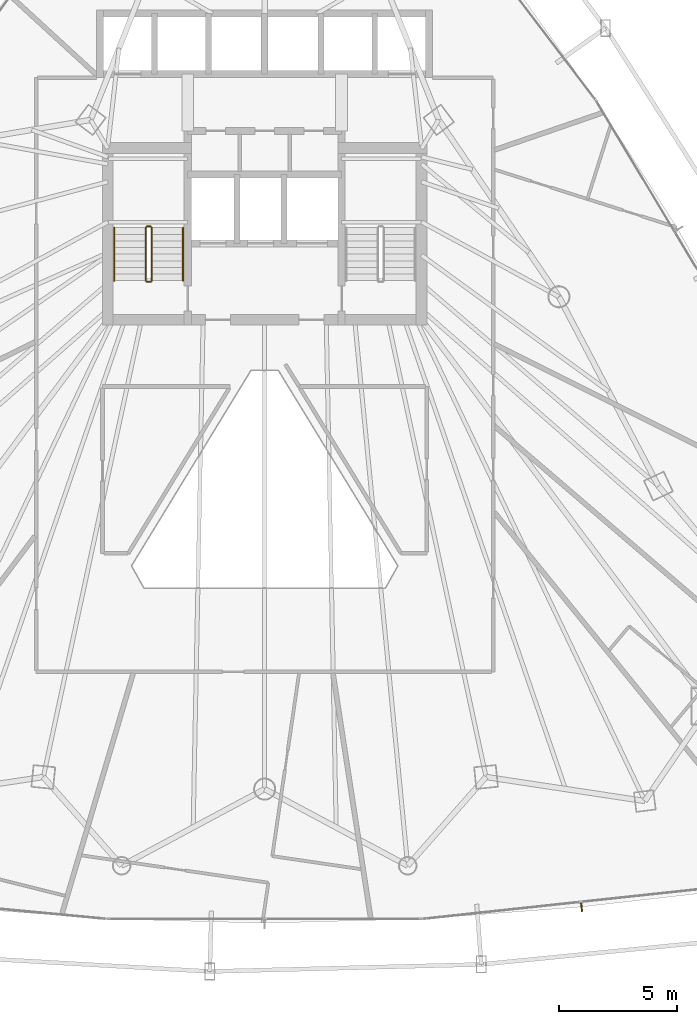
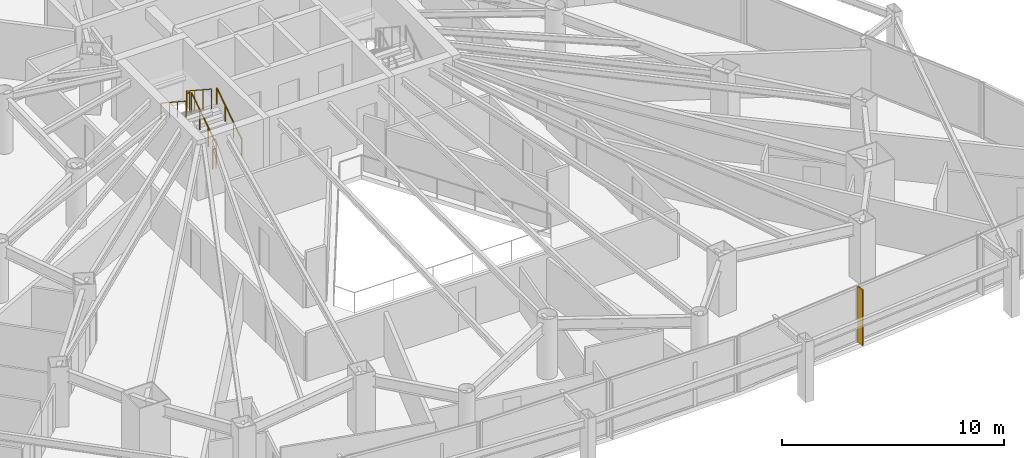
# One storey, part 33 of 35: 6 railings, 1 shading device.
"""IFC4 building model written with IfcOpenShell, lengths in metres."""

from ifc_helpers import new_model, si_unit, direction, frame, origin, origin_2d, place, context, subcontext, project, spatial, rectangle, circle, extrude, material, layer, layer_set, type_object, element, save


model = new_model("IFC4")

# Units and contexts
model_context = context("Model", 3, precision=1e-05, world=origin(), true_north=direction((0.0, 1.0)))
body_context = subcontext(model_context, "Body", "Model", "MODEL_VIEW")
ifc_project = project(units=[si_unit("LENGTHUNIT", "METRE"), si_unit("AREAUNIT", "SQUARE_METRE"), si_unit("VOLUMEUNIT", "CUBIC_METRE"), si_unit("PLANEANGLEUNIT", "RADIAN"), si_unit("MASSUNIT", "GRAM", prefix="KILO")], contexts=[model_context])

# Site, building, storey
site_placement = place(None, origin())
site = spatial("IfcSite", under=ifc_project, at=site_placement, CompositionType="ELEMENT")
building_placement = place(site_placement, origin())
building = spatial("IfcBuilding", under=site, at=building_placement, Name="Orvanel Arch Residences", CompositionType="ELEMENT")
storey_placement = place(building_placement, frame((0.0, 0.0, 36.800048828125)))
storey = spatial("IfcBuildingStorey", under=building, at=storey_placement, Name="L09", CompositionType="ELEMENT", Elevation=36.800048828125)

# Shading device
ifc_material_1 = material(Name="Bronze-anodised aluminium AA6063-T6", Category="aluminium")
ifc_layer = layer(ifc_material_1, 0.06005859375)
ifc_layer_set = layer_set([ifc_layer], Name="Bronze-anodised aluminium AA6063-T6")
shading_device_type = type_object("IfcShadingDeviceType", Name="FIN-BRZ-380", PredefinedType="USERDEFINED", material=ifc_layer_set)
shading_device_placement = place(storey_placement, frame((46.385986328125, 1.85888671875, 0.0), z_axis=(0.0, 0.0, 1.0), x_axis=(0.106264071336, -0.994337944133, 0.0)))
element("IfcShadingDevice", 1, at=shading_device_placement, inside=storey, type_object=shading_device_type, Name="L09 Anodised Bronze Mullion FIN 01", ObjectType="FIN", PredefinedType="USERDEFINED", context=body_context, shape_type="SweptSolid", body=[
    extrude(rectangle(XDim=0.3798828125, YDim=0.06005859375, at=origin_2d()), origin(), (0.0, 0.0, 1.0), 3.06005859375),
])

# Railings
ifc_material_2 = material(Name="Structural steel AS/NZS 1163 C350L0 (Grade 350)", Category="steel")
railing_type_1 = type_object("IfcRailingType", Name="RL-STAIR-GUARD", PredefinedType="GUARDRAIL", material=ifc_material_2)
railing_1_placement = place(storey_placement, frame((28.22998046875, 28.320068359375, 0.183349609375)))
element("IfcRailing", 2, at=railing_1_placement, inside=storey, type_object=railing_type_1, Name="L09 ST-1 stair guard 1", PredefinedType="GUARDRAIL", context=body_context, shape_type="SweptSolid", body=[
    extrude(circle(Radius=0.02392578125, at=origin_2d()), frame((0.0, 0.001220703125, 1.076904296875), z_axis=(0.0, 0.836636935527, 0.547757827979), x_axis=(-1.0, 0.0, 0.0)), (0.0, 0.0, 1.0), 2.67431640625),
    extrude(circle(Radius=0.02099609375, at=origin_2d()), origin(), (0.0, 0.0, 1.0), 1.050048828125),
    extrude(circle(Radius=0.02099609375, at=origin_2d()), frame((0.0, 0.74658203125, 0.48876953125)), (0.0, 0.0, 1.0), 1.050048828125),
    extrude(circle(Radius=0.02099609375, at=origin_2d()), frame((0.0, 1.493408203125, 0.977783203125)), (0.0, 0.0, 1.0), 1.050048828125),
    extrude(circle(Radius=0.02099609375, at=origin_2d()), frame((0.0, 2.239990234375, 1.466552734375)), (0.0, 0.0, 1.0), 1.050048828125),
])
railing_2_placement = place(storey_placement, frame((28.179931640625, 30.610107421875, 1.64990234375)))
element("IfcRailing", 3, at=railing_2_placement, inside=storey, type_object=railing_type_1, Name="L09 ST-1 stair guard 2", PredefinedType="GUARDRAIL", context=body_context, shape_type="SweptSolid", body=[
    extrude(circle(Radius=0.02392578125, at=origin_2d()), frame((-0.00146484375, 0.0, 1.076171875), z_axis=(-1.0, 0.0, 0.0), x_axis=(0.0, -1.0, 0.0)), (0.0, 0.0, 1.0), 0.156982421875),
    extrude(circle(Radius=0.02099609375, at=origin_2d()), origin(), (0.0, 0.0, 1.0), 1.050048828125),
    extrude(circle(Radius=0.02099609375, at=origin_2d()), frame((-0.159912109375, 0.0, 0.0)), (0.0, 0.0, 1.0), 1.050048828125),
])
railing_3_placement = place(storey_placement, frame((27.969970703125, 30.56005859375, 1.833251953125)))
element("IfcRailing", 4, at=railing_3_placement, inside=storey, type_object=railing_type_1, Name="L09 ST-1 stair guard 3", PredefinedType="GUARDRAIL", context=body_context, shape_type="SweptSolid", body=[
    extrude(circle(Radius=0.02392578125, at=origin_2d()), frame((0.0, -0.001220703125, 1.076904296875), z_axis=(0.0, -0.836595146698, 0.547821650285), x_axis=(1.0, 0.0, 0.0)), (0.0, 0.0, 1.0), 2.674560546875),
    extrude(circle(Radius=0.02099609375, at=origin_2d()), origin(), (0.0, 0.0, 1.0), 1.050048828125),
    extrude(circle(Radius=0.02099609375, at=origin_2d()), frame((0.0, -0.74658203125, 0.489013671875)), (0.0, 0.0, 1.0), 1.050048828125),
    extrude(circle(Radius=0.02099609375, at=origin_2d()), frame((0.0, -1.493408203125, 0.977783203125)), (0.0, 0.0, 1.0), 1.050048828125),
    extrude(circle(Radius=0.02099609375, at=origin_2d()), frame((0.0, -2.239990234375, 1.466796875)), (0.0, 0.0, 1.0), 1.050048828125),
])
railing_4_placement = place(storey_placement, frame((28.179931640625, 28.27001953125, 0.0)))
element("IfcRailing", 5, at=railing_4_placement, inside=storey, type_object=railing_type_1, Name="L09 ST-1 stair guard 4", PredefinedType="GUARDRAIL", context=body_context, shape_type="SweptSolid", body=[
    extrude(circle(Radius=0.02392578125, at=origin_2d()), frame((-0.00146484375, 0.0, 1.076171875), z_axis=(-1.0, 0.0, 0.0), x_axis=(0.0, -1.0, 0.0)), (0.0, 0.0, 1.0), 0.156982421875),
    extrude(circle(Radius=0.02099609375, at=origin_2d()), origin(), (0.0, 0.0, 1.0), 1.050048828125),
    extrude(circle(Radius=0.02099609375, at=origin_2d()), frame((-0.159912109375, 0.0, 0.0)), (0.0, 0.0, 1.0), 1.050048828125),
])
railing_type_2 = type_object("IfcRailingType", Name="RL-STAIR-HAND", PredefinedType="HANDRAIL", material=ifc_material_2)
railing_5_placement = place(storey_placement, frame((29.550048828125, 28.320068359375, 0.183349609375)))
element("IfcRailing", 6, at=railing_5_placement, inside=storey, type_object=railing_type_2, Name="L09 ST-1 stair handrail 1", PredefinedType="HANDRAIL", context=body_context, shape_type="SweptSolid", body=[
    extrude(circle(Radius=0.02392578125, at=origin_2d()), frame((0.0, 0.001220703125, 0.876708984375), z_axis=(0.0, 0.836636935527, 0.547757827979), x_axis=(-1.0, 0.0, 0.0)), (0.0, 0.0, 1.0), 2.67431640625),
    extrude(circle(Radius=0.02099609375, at=origin_2d()), origin(), (0.0, 0.0, 1.0), 0.849853515625),
    extrude(circle(Radius=0.02099609375, at=origin_2d()), frame((0.0, 0.74658203125, 0.48876953125)), (0.0, 0.0, 1.0), 0.849853515625),
    extrude(circle(Radius=0.02099609375, at=origin_2d()), frame((0.0, 1.493408203125, 0.977783203125)), (0.0, 0.0, 1.0), 0.849853515625),
    extrude(circle(Radius=0.02099609375, at=origin_2d()), frame((0.0, 2.239990234375, 1.466552734375)), (0.0, 0.0, 1.0), 0.849853515625),
])
railing_6_placement = place(storey_placement, frame((26.64990234375, 30.56005859375, 1.833251953125)))
element("IfcRailing", 7, at=railing_6_placement, inside=storey, type_object=railing_type_2, Name="L09 ST-1 stair handrail 2", PredefinedType="HANDRAIL", context=body_context, shape_type="SweptSolid", body=[
    extrude(circle(Radius=0.02392578125, at=origin_2d()), frame((0.0, -0.001220703125, 0.876708984375), z_axis=(0.0, -0.836595146698, 0.547821650285), x_axis=(1.0, 0.0, 0.0)), (0.0, 0.0, 1.0), 2.674560546875),
    extrude(circle(Radius=0.02099609375, at=origin_2d()), origin(), (0.0, 0.0, 1.0), 0.849853515625),
    extrude(circle(Radius=0.02099609375, at=origin_2d()), frame((0.0, -0.74658203125, 0.489013671875)), (0.0, 0.0, 1.0), 0.849853515625),
    extrude(circle(Radius=0.02099609375, at=origin_2d()), frame((0.0, -1.493408203125, 0.977783203125)), (0.0, 0.0, 1.0), 0.849853515625),
    extrude(circle(Radius=0.02099609375, at=origin_2d()), frame((0.0, -2.239990234375, 1.466796875)), (0.0, 0.0, 1.0), 0.849853515625),
])

save(model, "model.ifc")
